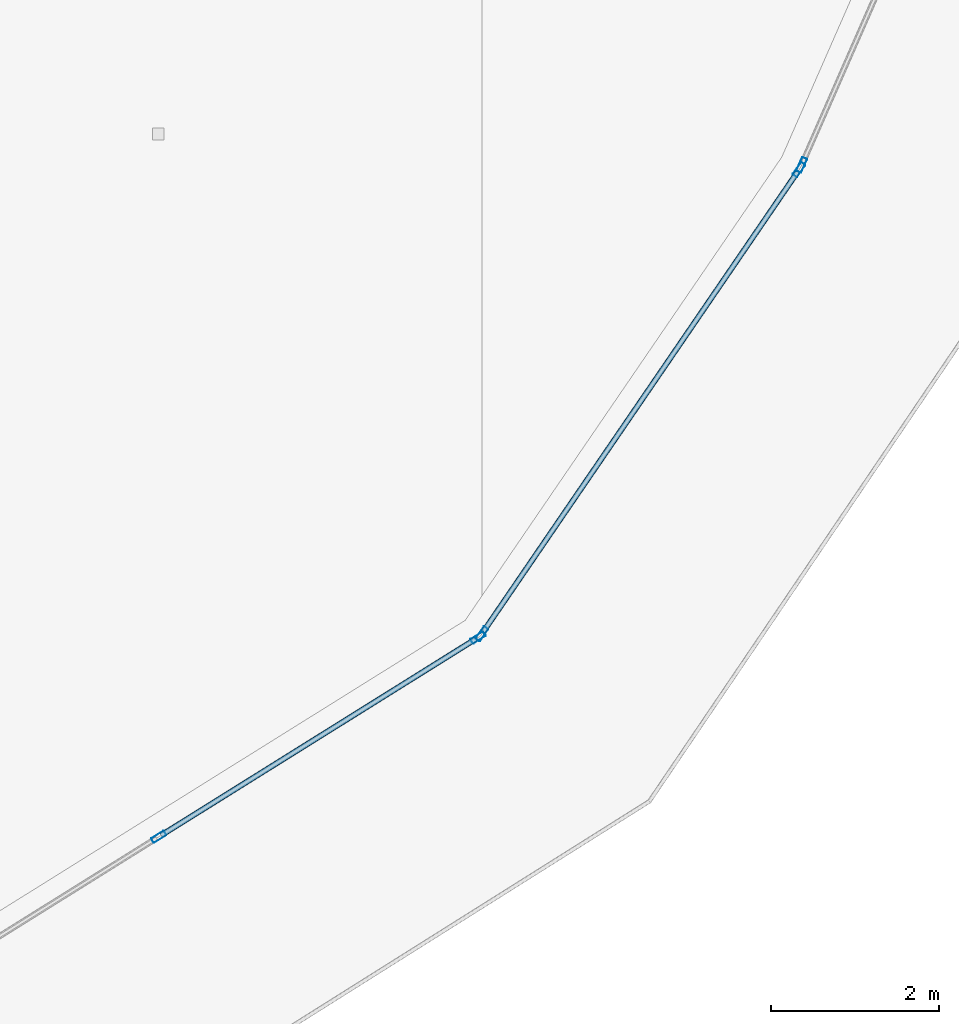
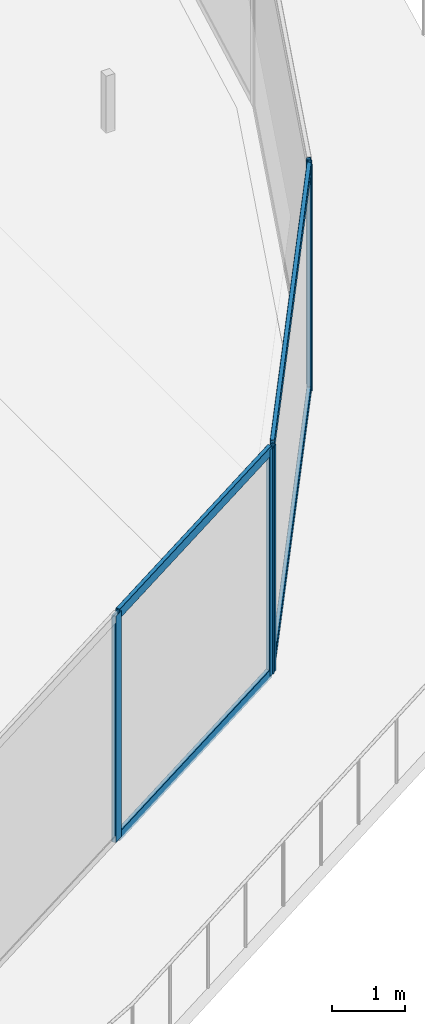
# One storey, part 9 of 40: 9 members, 3 elements without a shape of their own.
"""IFC4 building model written with IfcOpenShell, lengths in metres."""

from ifc_helpers import new_model, si_unit, direction, frame, origin, origin_2d, place, context, subcontext, project, spatial, hollow_rectangle, extrude, material, layer, layer_set, material_profile, profile_set, type_object, element, aggregate, save


model = new_model("IFC4")

# Units and contexts
model_context = context("Model", 3, precision=1e-05, world=origin(), true_north=direction((0.0, 1.0)))
body_context = subcontext(model_context, "Body", "Model", "MODEL_VIEW")
ifc_project = project(units=[si_unit("LENGTHUNIT", "METRE"), si_unit("AREAUNIT", "SQUARE_METRE"), si_unit("VOLUMEUNIT", "CUBIC_METRE"), si_unit("PLANEANGLEUNIT", "RADIAN"), si_unit("MASSUNIT", "GRAM", prefix="KILO")], contexts=[model_context])

# Site, building, storey
site_placement = place(None, origin())
site = spatial("IfcSite", under=ifc_project, at=site_placement, CompositionType="ELEMENT")
building_placement = place(site_placement, origin())
building = spatial("IfcBuilding", under=site, at=building_placement, Name="Qorvath Tower", CompositionType="ELEMENT")
storey_placement = place(building_placement, frame((0.0, 0.0, 138.14990234375)))
storey = spatial("IfcBuildingStorey", under=building, at=storey_placement, Name="L31", CompositionType="ELEMENT", Elevation=138.14990234375)

# Curtain wall, members
ifc_material_1 = material(Name="Anodised aluminium and triple low-E glass", Category="aluminium")
ifc_layer = layer(ifc_material_1, 0.179931640625)
ifc_layer_set = layer_set([ifc_layer], Name="CW-SYS-3")
curtain_wall_type = type_object("IfcCurtainWallType", Name="CW-SYS-3", PredefinedType="NOTDEFINED", material=ifc_layer_set)
curtain_wall_1_placement = place(storey_placement, origin())
curtain_wall_1 = element("IfcCurtainWall", 1, at=curtain_wall_1_placement, inside=storey, type_object=curtain_wall_type, Name="Curtain Wall CW-3 CW-T-L31-4.1", PredefinedType="NOTDEFINED")
ifc_material_2 = material(Name="Anodised aluminium 6063-T6", Category="aluminium")
ifc_material_profile_1 = material_profile(ifc_material_2, hollow_rectangle(XDim=0.06494140625, YDim=0.179931640625, WallThickness=0.00341796875, InnerFilletRadius=0.00341796875, OuterFilletRadius=0.007080078125, at=origin_2d()), Name="CWM 180x65")
ifc_profile_set_1 = profile_set([ifc_material_profile_1], Name="Anodised aluminium 6063-T6")
member_type_1 = type_object("IfcMemberType", Name="CWM-180", PredefinedType="MULLION", material=ifc_profile_set_1)
member_1_placement = place(storey_placement, frame((-7.781494140625, -25.656982421875, 0.0), z_axis=(0.0, 0.0, 1.0), x_axis=(-0.529439947431, 0.848347418258, 0.0)))
member_1 = element("IfcMember", 2, at=member_1_placement, type_object=member_type_1, Name="CW-3 mullion 2", PredefinedType="MULLION", context=body_context, shape_type="SweptSolid", body=[
    extrude(hollow_rectangle(XDim=0.06494140625, YDim=0.179931640625, WallThickness=0.00341796875, InnerFilletRadius=0.00341796875, OuterFilletRadius=0.007080078125, at=origin_2d()), origin(), (0.0, 0.0, 1.0), 3.780029296875),
])
member_2_placement = place(storey_placement, frame((-3.974853515625, -23.281494140625, 0.0), z_axis=(0.0, 0.0, 1.0), x_axis=(-0.529439947431, 0.848347418258, 0.0)))
member_2 = element("IfcMember", 3, at=member_2_placement, type_object=member_type_1, Name="CW-3 mullion 3", PredefinedType="MULLION", context=body_context, shape_type="SweptSolid", body=[
    extrude(hollow_rectangle(XDim=0.06494140625, YDim=0.179931640625, WallThickness=0.00341796875, InnerFilletRadius=0.00341796875, OuterFilletRadius=0.007080078125, at=origin_2d()), origin(), (0.0, 0.0, 1.0), 3.780029296875),
])

curtain_wall_2_placement = place(storey_placement, origin())
curtain_wall_2 = element("IfcCurtainWall", 4, at=curtain_wall_2_placement, inside=storey, type_object=curtain_wall_type, Name="Curtain Wall CW-3 CW-T-L31-5.1", PredefinedType="NOTDEFINED")
member_3_placement = place(storey_placement, frame((-3.928955078125, -23.2373046875, 0.0), z_axis=(0.0, 0.0, 1.0), x_axis=(-0.825622735214, 0.56422256167, 0.0)))
member_3 = element("IfcMember", 5, at=member_3_placement, type_object=member_type_1, Name="CW-3 mullion 1", PredefinedType="MULLION", context=body_context, shape_type="SweptSolid", body=[
    extrude(hollow_rectangle(XDim=0.06494140625, YDim=0.179931640625, WallThickness=0.00341796875, InnerFilletRadius=0.00341796875, OuterFilletRadius=0.007080078125, at=origin_2d()), origin(), (0.0, 0.0, 1.0), 3.780029296875),
])
member_4_placement = place(storey_placement, frame((-0.146240234375, -17.7021484375, 0.0), z_axis=(0.0, 0.0, 1.0), x_axis=(-0.825622735214, 0.56422256167, 0.0)))
member_4 = element("IfcMember", 6, at=member_4_placement, type_object=member_type_1, Name="CW-3 mullion 2", PredefinedType="MULLION", context=body_context, shape_type="SweptSolid", body=[
    extrude(hollow_rectangle(XDim=0.06494140625, YDim=0.179931640625, WallThickness=0.00341796875, InnerFilletRadius=0.00341796875, OuterFilletRadius=0.007080078125, at=origin_2d()), origin(), (0.0, 0.0, 1.0), 3.780029296875),
])

# Curtain wall, member
curtain_wall_3_placement = place(storey_placement, origin())
curtain_wall_3 = element("IfcCurtainWall", 7, at=curtain_wall_3_placement, inside=storey, type_object=curtain_wall_type, Name="Curtain Wall CW-3 CW-T-L31-6.1", PredefinedType="NOTDEFINED")
member_5_placement = place(storey_placement, frame((-0.11474609375, -17.6455078125, 0.0), z_axis=(0.0, 0.0, 1.0), x_axis=(-0.915735385605, 0.401781910433, 0.0)))
member_5 = element("IfcMember", 8, at=member_5_placement, type_object=member_type_1, Name="CW-3 mullion 1", PredefinedType="MULLION", context=body_context, shape_type="SweptSolid", body=[
    extrude(hollow_rectangle(XDim=0.06494140625, YDim=0.179931640625, WallThickness=0.00341796875, InnerFilletRadius=0.00341796875, OuterFilletRadius=0.007080078125, at=origin_2d()), origin(), (0.0, 0.0, 1.0), 3.780029296875),
])
aggregate(curtain_wall_3, [member_5])

# Member
ifc_material_3 = material(Name="Anodised aluminium 6063-T6", Category="aluminium")
ifc_material_profile_2 = material_profile(ifc_material_3, hollow_rectangle(XDim=0.06494140625, YDim=0.159912109375, WallThickness=0.00341796875, InnerFilletRadius=0.00341796875, OuterFilletRadius=0.007080078125, at=origin_2d()), Name="CWT 160x65")
ifc_profile_set_2 = profile_set([ifc_material_profile_2], Name="Anodised aluminium 6063-T6")
member_type_2 = type_object("IfcMemberType", Name="CWT-160", PredefinedType="USERDEFINED", material=ifc_profile_set_2)
member_6_placement = place(storey_placement, frame((-7.75390625, -25.639892578125, 0.032470703125), z_axis=(0.848339306636, 0.529452944855, 0.0), x_axis=(-0.529452944855, 0.848339306636, 0.0)))
member_6 = element("IfcMember", 9, at=member_6_placement, type_object=member_type_2, Name="CW-3 transom 2.1", ObjectType="TRANSOM", PredefinedType="USERDEFINED", context=body_context, shape_type="SweptSolid", body=[
    extrude(hollow_rectangle(XDim=0.06494140625, YDim=0.159912109375, WallThickness=0.00341796875, InnerFilletRadius=0.00341796875, OuterFilletRadius=0.007080078125, at=origin_2d()), origin(), (0.0, 0.0, 1.0), 4.422119140625),
])

member_7_placement = place(storey_placement, frame((-7.75390625, -25.639892578125, 3.74755859375), z_axis=(0.848339306636, 0.529452944855, 0.0), x_axis=(-0.529452944855, 0.848339306636, 0.0)))
member_7 = element("IfcMember", 10, at=member_7_placement, type_object=member_type_2, Name="CW-3 transom 2.2", ObjectType="TRANSOM", PredefinedType="USERDEFINED", context=body_context, shape_type="SweptSolid", body=[
    extrude(hollow_rectangle(XDim=0.06494140625, YDim=0.159912109375, WallThickness=0.00341796875, InnerFilletRadius=0.00341796875, OuterFilletRadius=0.007080078125, at=origin_2d()), origin(), (0.0, 0.0, 1.0), 4.422119140625),
])

aggregate(curtain_wall_1, [member_1, member_2, member_6, member_7])

member_8_placement = place(storey_placement, frame((-3.91064453125, -23.21044921875, 0.032470703125), z_axis=(0.564235625395, 0.82561380744, 0.0), x_axis=(-0.82561380744, 0.564235625395, 0.0)))
member_8 = element("IfcMember", 11, at=member_8_placement, type_object=member_type_2, Name="CW-3 transom 1.1", ObjectType="TRANSOM", PredefinedType="USERDEFINED", context=body_context, shape_type="SweptSolid", body=[
    extrude(hollow_rectangle(XDim=0.06494140625, YDim=0.159912109375, WallThickness=0.00341796875, InnerFilletRadius=0.00341796875, OuterFilletRadius=0.007080078125, at=origin_2d()), origin(), (0.0, 0.0, 1.0), 6.63916015625),
])

member_9_placement = place(storey_placement, frame((-3.91064453125, -23.21044921875, 3.74755859375), z_axis=(0.564235625395, 0.82561380744, 0.0), x_axis=(-0.82561380744, 0.564235625395, 0.0)))
member_9 = element("IfcMember", 12, at=member_9_placement, type_object=member_type_2, Name="CW-3 transom 1.2", ObjectType="TRANSOM", PredefinedType="USERDEFINED", context=body_context, shape_type="SweptSolid", body=[
    extrude(hollow_rectangle(XDim=0.06494140625, YDim=0.159912109375, WallThickness=0.00341796875, InnerFilletRadius=0.00341796875, OuterFilletRadius=0.007080078125, at=origin_2d()), origin(), (0.0, 0.0, 1.0), 6.63916015625),
])

aggregate(curtain_wall_2, [member_3, member_4, member_8, member_9])

save(model, "model.ifc")
